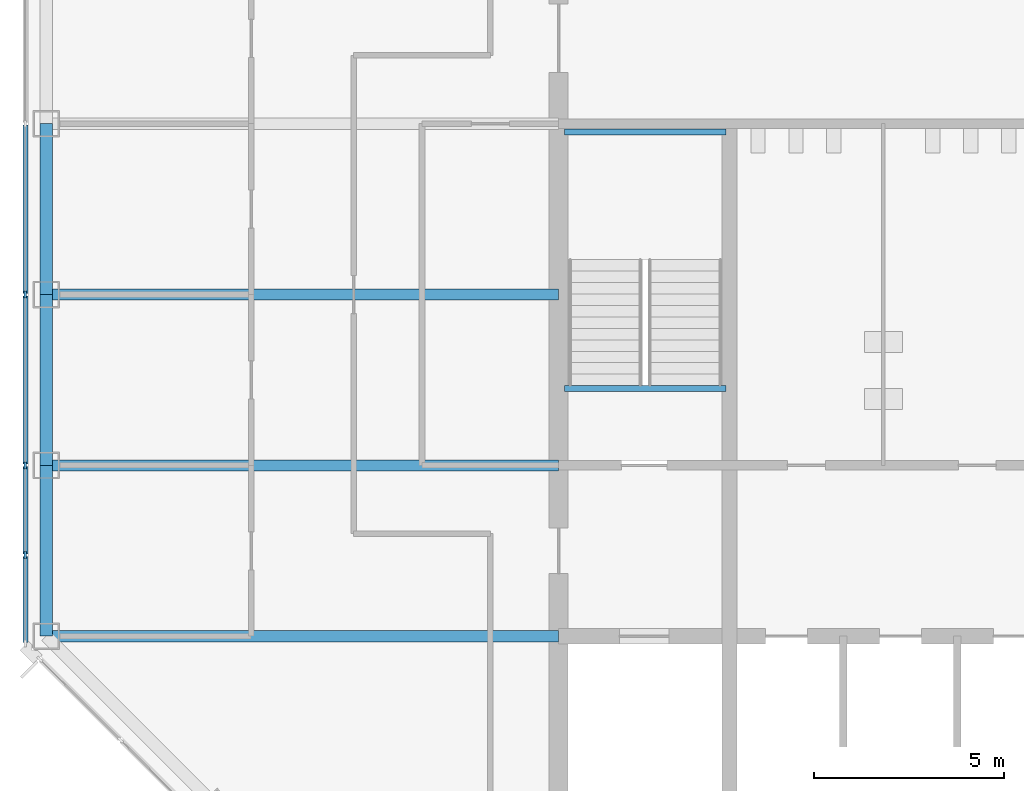
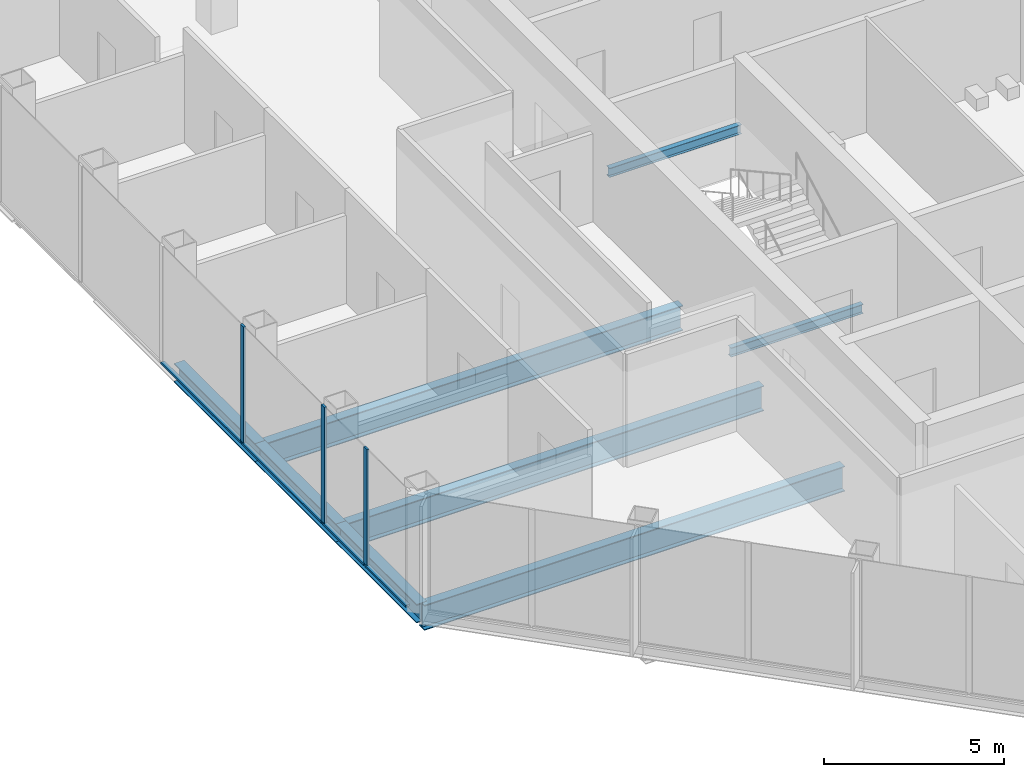
# One storey, part 3 of 13: 8 beams, 7 members, 1 element without a shape of its own.
"""IFC4 building model written with IfcOpenShell, lengths in metres."""

import ifcopenshell
import ifcopenshell.guid

model = None  # the IFC model being written
_history = None  # IfcOwnerHistory: only IFC2X3 demands one
_inside = {}  # id of a spatial element -> (the spatial element, [elements in it])
_under = {}  # id of a project, library or spatial element -> (it, [spatial elements below it])
_declared = {}  # id of a project -> (the project, [libraries it declares])
_typed = {}  # id of a type object -> (the type object, [elements of that type])
_made_of = {}  # id of a material, layer set ... -> (it, [elements and type objects made of it])


def new_model(schema):
    """Start an empty IFC model of exactly this schema.

    Asked for "IFC4X3", IfcOpenShell would pick the latest addendum, in which some entities
    have other attributes; the version numbers below select the first issue.
    IFC2X3 requires an IfcOwnerHistory on every rooted entity: one is made here for all.
    """
    global model, _history
    if schema == "IFC4X3":
        model = ifcopenshell.file(schema_version=(4, 3, 0, 0))
    else:
        model = ifcopenshell.file(schema=schema)
    _inside.clear()
    _under.clear()
    _declared.clear()
    _typed.clear()
    _made_of.clear()
    _history = None
    if model.schema == "IFC2X3":
        org = make("IfcOrganization", Name="unknown")
        user = make(
            "IfcPersonAndOrganization",
            ThePerson=make("IfcPerson", FamilyName="unknown"),
            TheOrganization=org,
        )
        app = make(
            "IfcApplication",
            ApplicationDeveloper=org,
            Version="unknown",
            ApplicationFullName="unknown",
            ApplicationIdentifier="unknown",
        )
        _history = make(
            "IfcOwnerHistory",
            OwningUser=user,
            OwningApplication=app,
            ChangeAction="ADDED",
            CreationDate=0,
        )
    return model


def make(cls, **values):
    """One entity of the class cls with the attributes given. An attribute that is None is left unset."""
    return model.create_entity(
        cls, **{name: value for name, value in values.items() if value is not None}
    )


def rooted(cls, **values):
    """An entity with a GlobalId (a new one), such as an element, a storey or a relation."""
    return make(cls, GlobalId=ifcopenshell.guid.new(), OwnerHistory=_history, **values)


def si_unit(unit_type, name, prefix=None):
    """IfcSIUnit, for example si_unit("LENGTHUNIT", "METRE", prefix="MILLI")."""
    return make("IfcSIUnit", UnitType=unit_type, Prefix=prefix, Name=name)


def assignment(units):
    """IfcUnitAssignment: the units of a project."""
    return None if units is None else make("IfcUnitAssignment", Units=units)


def point(xyz):
    """IfcCartesianPoint."""
    return None if xyz is None else make("IfcCartesianPoint", Coordinates=xyz)


def direction(xyz):
    """IfcDirection."""
    return None if xyz is None else make("IfcDirection", DirectionRatios=xyz)


def frame(location, z_axis=None, x_axis=None):
    """IfcAxis2Placement3D, a coordinate frame: its origin and axes. An axis left out is left unset."""
    return make(
        "IfcAxis2Placement3D",
        Location=point(location),
        Axis=direction(z_axis),
        RefDirection=direction(x_axis),
    )


def frame_2d(location, x_axis=None):
    """IfcAxis2Placement2D, a coordinate frame in the plane: its origin and x axis."""
    return make(
        "IfcAxis2Placement2D", Location=point(location), RefDirection=direction(x_axis)
    )


def origin():
    """The frame at (0, 0, 0) with its axes left unset."""
    return frame((0.0, 0.0, 0.0))


def origin_2d():
    """The frame at (0, 0) in the plane with its x axis left unset."""
    return frame_2d((0.0, 0.0))


def place(relative_to, where):
    """IfcLocalPlacement: puts the frame where relative to a parent placement (None: the world)."""
    return make(
        "IfcLocalPlacement", PlacementRelTo=relative_to, RelativePlacement=where
    )


def context(
    kind, dimensions, precision=None, world=None, true_north=None, identifier=None
):
    """IfcGeometricRepresentationContext, for example the 3D "Model" context."""
    return make(
        "IfcGeometricRepresentationContext",
        ContextIdentifier=identifier,
        ContextType=kind,
        CoordinateSpaceDimension=dimensions,
        Precision=precision,
        WorldCoordinateSystem=world,
        TrueNorth=true_north,
    )


def subcontext(parent, identifier, kind, view, scale=None):
    """IfcGeometricRepresentationSubContext, for example "Body" below "Model"."""
    return make(
        "IfcGeometricRepresentationSubContext",
        ContextIdentifier=identifier,
        ContextType=kind,
        ParentContext=parent,
        TargetScale=scale,
        TargetView=view,
    )


def project(units=None, contexts=None):
    """IfcProject with its units and contexts."""
    return rooted(
        "IfcProject",
        Name="project",
        RepresentationContexts=contexts,
        UnitsInContext=assignment(units),
    )


def spatial(cls, under=None, at=None, **own):
    """A site, building, storey or space (cls), placed at a placement, below another one or the project."""
    s = rooted(cls, ObjectPlacement=at, **own)
    if under is not None:
        _under.setdefault(under.id(), (under, []))[1].append(s)
    return s


def profile(cls, at=None, kind="AREA", **sizes):
    """A parametric profile (cls). Its sizes go by their IFC names, for example OverallWidth=200.0."""
    return make(cls, ProfileType=kind, Position=at, **sizes)


def rectangle(**sizes):
    """IfcRectangleProfileDef."""
    return profile("IfcRectangleProfileDef", **sizes)


def i_section(**sizes):
    """IfcIShapeProfileDef."""
    return profile("IfcIShapeProfileDef", **sizes)


def extrude(swept, where, along, depth):
    """IfcExtrudedAreaSolid: the profile swept, set in the frame where, extruded along a direction by depth."""
    return make(
        "IfcExtrudedAreaSolid",
        SweptArea=swept,
        Position=where,
        ExtrudedDirection=direction(along),
        Depth=depth,
    )


def shape(context_of_items, identifier, shape_type, items):
    """IfcShapeRepresentation: the items that make up one representation, for example the "Body"."""
    return make(
        "IfcShapeRepresentation",
        ContextOfItems=context_of_items,
        RepresentationIdentifier=identifier,
        RepresentationType=shape_type,
        Items=items,
    )


def material(Name=None, Category=None):
    """IfcMaterial."""
    return make("IfcMaterial", Name=Name, Category=Category)


def material_profile(
    of_material, cross_section, Name=None, Category=None, Priority=None
):
    """IfcMaterialProfile: a cross section and its material."""
    return make(
        "IfcMaterialProfile",
        Name=Name,
        Material=of_material,
        Profile=cross_section,
        Priority=Priority,
        Category=Category,
    )


def profile_set(profiles, Name=None, composite=None):
    """IfcMaterialProfileSet."""
    return make(
        "IfcMaterialProfileSet",
        Name=Name,
        MaterialProfiles=profiles,
        CompositeProfile=composite,
    )


def made_of(thing, what):
    """Note that an element or type object is made of a material, layer set ...; save() writes the relation."""
    if what is not None:
        _made_of.setdefault(what.id(), (what, []))[1].append(thing)
    return thing


def type_object(cls, material=None, **own):
    """A type object (cls), such as IfcWallType, which elements share."""
    return made_of(rooted(cls, **own), material)


def element(
    cls,
    number,
    at=None,
    inside=None,
    cuts=None,
    type_object=None,
    material=None,
    context=None,
    identifier="Body",
    shape_type=None,
    held_by="IfcProductDefinitionShape",
    body=None,
    shapes=None,
    **own,
):
    """One element of the class cls, such as IfcWall. Its Tag is "e" and its number.

    at: its placement. inside: the storey or other place that contains it. cuts: it is an
    opening in that element (IfcRelVoidsElement). A single representation is given by context,
    identifier, shape_type and body (its items); several are given by shapes. held_by: the class
    of the entity that holds the representations. save() writes the other relations.
    """
    e = rooted(cls, Tag="e%d" % number, ObjectPlacement=at, **own)
    if body is not None:
        shapes = [shape(context, identifier, shape_type, body)]
    if shapes is not None:
        e.Representation = make(held_by, Representations=shapes)
    if inside is not None:
        _inside.setdefault(inside.id(), (inside, []))[1].append(e)
    if cuts is not None:
        rooted(
            "IfcRelVoidsElement", RelatingBuildingElement=cuts, RelatedOpeningElement=e
        )
    if type_object is not None:
        _typed.setdefault(type_object.id(), (type_object, []))[1].append(e)
    return made_of(e, material)


def aggregate(whole, parts):
    """IfcRelAggregates: a whole, such as a stair, and the parts it consists of."""
    return rooted("IfcRelAggregates", RelatingObject=whole, RelatedObjects=parts)


def save(model, path):
    """Write the relations noted so far, then the file.

    IfcRelAggregates (storeys below a building ...), IfcRelContainedInSpatialStructure (elements
    in a storey), IfcRelDefinesByType, IfcRelAssociatesMaterial and IfcRelDeclares: one each for
    every whole, place, type object, material and project.
    """
    for whole, parts in _under.values():
        aggregate(whole, parts)
    for where, things in _inside.values():
        rooted(
            "IfcRelContainedInSpatialStructure",
            RelatedElements=things,
            RelatingStructure=where,
        )
    for kind, things in _typed.values():
        rooted("IfcRelDefinesByType", RelatedObjects=things, RelatingType=kind)
    for what, things in _made_of.values():
        rooted("IfcRelAssociatesMaterial", RelatedObjects=things, RelatingMaterial=what)
    for by, libraries in _declared.values():
        rooted("IfcRelDeclares", RelatingContext=by, RelatedDefinitions=libraries)
    model.write(path)


model = new_model("IFC4")

# Units and contexts
model_context = context("Model", 3, precision=1e-05, world=origin(), true_north=direction((0.0, 1.0)))
body_context = subcontext(model_context, "Body", "Model", "MODEL_VIEW")
ifc_project = project(units=[si_unit("LENGTHUNIT", "METRE"), si_unit("AREAUNIT", "SQUARE_METRE"), si_unit("VOLUMEUNIT", "CUBIC_METRE"), si_unit("PLANEANGLEUNIT", "RADIAN"), si_unit("MASSUNIT", "GRAM", prefix="KILO")], contexts=[model_context])

# Site, building, storey
site_placement = place(None, origin())
site = spatial("IfcSite", under=ifc_project, at=site_placement, CompositionType="ELEMENT")
building_placement = place(site_placement, origin())
building = spatial("IfcBuilding", under=site, at=building_placement, Name="Corais Broadcast Tower", CompositionType="ELEMENT")
storey_placement = place(building_placement, frame((0.0, 0.0, 155.60009765625)))
storey = spatial("IfcBuildingStorey", under=building, at=storey_placement, Name="L35", CompositionType="ELEMENT", Elevation=155.60009765625)

# Beams
ifc_material_1 = material(Name="Steel ASTM A572 Grade 50", Category="steel")
ifc_material_profile_1 = material_profile(ifc_material_1, i_section(OverallWidth=0.2939453125, OverallDepth=0.85107421875, WebThickness=0.01611328125, FlangeThickness=0.02685546875, at=origin_2d()), Name="W840x226")
ifc_profile_set_1 = profile_set([ifc_material_profile_1], Name="Steel ASTM A572 Grade 50")
beam_type_1 = type_object("IfcBeamType", Name="Floor beam W840x226", PredefinedType="BEAM", material=ifc_profile_set_1)
for number, where, z_axis, x_axis, name in (
    (1, (0.0, 18.0, -0.585693359375), (1.0, 0.0, 0.0), (0.0, 1.0, 0.0), "B1 E/3 to E/6"),
    (2, (0.0, 22.5, -0.585693359375), (1.0, 0.0, 0.0), (0.0, 1.0, 0.0), "B1 F/3 to F/6"),
    (3, (0.0, 27.0, -0.585693359375), (1.0, 0.0, 0.0), (0.0, 1.0, 0.0), "B1 G/3 to G/6"),
):
    element("IfcBeam", number, at=place(storey_placement, frame(where, z_axis=z_axis, x_axis=x_axis)), inside=storey, type_object=beam_type_1, Name=name, PredefinedType="BEAM", context=body_context, shape_type="SweptSolid", body=[
        extrude(i_section(OverallWidth=0.2939453125, OverallDepth=0.85107421875, WebThickness=0.01611328125, FlangeThickness=0.02685546875, at=origin_2d()), origin(), (0.0, 0.0, 1.0), 13.5),
    ])
ifc_material_2 = material(Name="Steel ASTM A572 Grade 50", Category="steel")
ifc_material_profile_2 = material_profile(ifc_material_2, i_section(OverallWidth=0.1650390625, OverallDepth=0.31005859375, WebThickness=0.005859375, FlangeThickness=0.009765625, at=origin_2d()), Name="W310x38.7")
ifc_profile_set_2 = profile_set([ifc_material_profile_2], Name="Steel ASTM A572 Grade 50")
beam_type_2 = type_object("IfcBeamType", Name="Landing trimmer W310x38.7", PredefinedType="BEAM", material=ifc_profile_set_2)
for number, where, z_axis, x_axis, name in (
    (4, (13.64990234375, 24.52490234375, -0.35498046875), (1.0, 0.0, 0.0), (0.0, 1.0, 0.0), "LT1 stair A landing trimmer L35"),
    (5, (13.64990234375, 31.284912109375, 1.64501953125), (1.0, 0.0, 0.0), (0.0, 1.0, 0.0), "LT1 stair A half landing trimmer L35"),
):
    element("IfcBeam", number, at=place(storey_placement, frame(where, z_axis=z_axis, x_axis=x_axis)), inside=storey, type_object=beam_type_2, Name=name, PredefinedType="BEAM", context=body_context, shape_type="SweptSolid", body=[
        extrude(i_section(OverallWidth=0.1650390625, OverallDepth=0.31005859375, WebThickness=0.005859375, FlangeThickness=0.009765625, at=origin_2d()), origin(), (0.0, 0.0, 1.0), 4.25),
    ])

# Curtain wall, members
ifc_material_3 = material(Name="Aluminium and glass", Category="aluminium")
curtain_wall_type = type_object("IfcCurtainWallType", Name="Unitised fritted curtain wall CW2", PredefinedType="NOTDEFINED", material=ifc_material_3)
curtain_wall_placement = place(storey_placement, origin())
curtain_wall = element("IfcCurtainWall", 6, at=curtain_wall_placement, inside=storey, type_object=curtain_wall_type, Name="CW2 curtain wall L35 2", PredefinedType="NOTDEFINED")
ifc_material_4 = material(Name="Aluminium 6063-T6", Category="aluminium")
ifc_material_profile_3 = material_profile(ifc_material_4, rectangle(XDim=0.06494140625, YDim=0.179931640625, at=origin_2d()), Name="Mullion CW2 65x180")
ifc_profile_set_3 = profile_set([ifc_material_profile_3], Name="Aluminium 6063-T6")
member_type_1 = type_object("IfcMemberType", Name="Mullion CW2 65x180", PredefinedType="MULLION", material=ifc_profile_set_3)
member_1_placement = place(storey_placement, frame((-0.550048828125, 20.135986328125, 0.0), z_axis=(0.0, 0.0, 1.0), x_axis=(-1.0, 0.0, 0.0)))
member_1 = element("IfcMember", 7, at=member_1_placement, type_object=member_type_1, Name="CW2 mullion 2", PredefinedType="MULLION", context=body_context, shape_type="SweptSolid", body=[
    extrude(rectangle(XDim=0.06494140625, YDim=0.179931640625, at=origin_2d()), origin(), (0.0, 0.0, 1.0), 4.0),
])
member_2_placement = place(storey_placement, frame((-0.550048828125, 22.5, 0.0), z_axis=(0.0, 0.0, 1.0), x_axis=(-1.0, 0.0, 0.0)))
member_2 = element("IfcMember", 8, at=member_2_placement, type_object=member_type_1, Name="CW2 mullion 3", PredefinedType="MULLION", context=body_context, shape_type="SweptSolid", body=[
    extrude(rectangle(XDim=0.06494140625, YDim=0.179931640625, at=origin_2d()), origin(), (0.0, 0.0, 1.0), 4.0),
])
member_3_placement = place(storey_placement, frame((-0.550048828125, 27.0, 0.0), z_axis=(0.0, 0.0, 1.0), x_axis=(-1.0, 0.0, 0.0)))
member_3 = element("IfcMember", 9, at=member_3_placement, type_object=member_type_1, Name="CW2 mullion 4", PredefinedType="MULLION", context=body_context, shape_type="SweptSolid", body=[
    extrude(rectangle(XDim=0.06494140625, YDim=0.179931640625, at=origin_2d()), origin(), (0.0, 0.0, 1.0), 4.0),
])

# Beams
ifc_material_5 = material(Name="Steel ASTM A572 Grade 50", Category="steel")
ifc_material_profile_4 = material_profile(ifc_material_5, i_section(OverallWidth=0.3291015625, OverallDepth=0.635009765625, WebThickness=0.017822265625, FlangeThickness=0.031005859375, at=origin_2d()), Name="W610x241")
ifc_profile_set_4 = profile_set([ifc_material_profile_4], Name="Steel ASTM A572 Grade 50")
beam_type_3 = type_object("IfcBeamType", Name="Spandrel W610x241", PredefinedType="BEAM", material=ifc_profile_set_4)
for number, where, z_axis, x_axis, name in (
    (10, (0.0, 22.5, -0.4775390625), (0.0, -1.0, 0.0), (1.0, 0.0, 0.0), "SB1 F/3 to E/3"),
    (11, (0.0, 27.0, -0.4775390625), (0.0, -1.0, 0.0), (1.0, 0.0, 0.0), "SB1 G/3 to F/3"),
    (12, (0.0, 31.5, -0.4775390625), (0.0, -1.0, 0.0), (1.0, 0.0, 0.0), "SB1 H/3 to G/3"),
):
    element("IfcBeam", number, at=place(storey_placement, frame(where, z_axis=z_axis, x_axis=x_axis)), inside=storey, type_object=beam_type_3, Name=name, PredefinedType="BEAM", context=body_context, shape_type="SweptSolid", body=[
        extrude(i_section(OverallWidth=0.3291015625, OverallDepth=0.635009765625, WebThickness=0.017822265625, FlangeThickness=0.031005859375, at=origin_2d()), origin(), (0.0, 0.0, 1.0), 4.5),
    ])

# Member
ifc_material_6 = material(Name="Aluminium 6063-T6", Category="aluminium")
ifc_material_profile_5 = material_profile(ifc_material_6, rectangle(XDim=0.1298828125, YDim=0.06494140625, at=origin_2d()), Name="Transom CW2 65x130")
ifc_profile_set_5 = profile_set([ifc_material_profile_5], Name="Aluminium 6063-T6")
member_type_2 = type_object("IfcMemberType", Name="Transom CW2 65x130", PredefinedType="USERDEFINED", material=ifc_profile_set_5)
member_4_placement = place(storey_placement, frame((-0.550048828125, 17.837158203125, 0.032470703125), z_axis=(0.0, 1.0, 0.0), x_axis=(-1.0, 0.0, 0.0)))
member_4 = element("IfcMember", 13, at=member_4_placement, type_object=member_type_2, Name="CW2 transom 1.1", ObjectType="TRANSOM", PredefinedType="USERDEFINED", context=body_context, shape_type="SweptSolid", body=[
    extrude(rectangle(XDim=0.1298828125, YDim=0.06494140625, at=origin_2d()), origin(), (0.0, 0.0, 1.0), 2.266357421875),
])

member_5_placement = place(storey_placement, frame((-0.550048828125, 20.168701171875, 0.032470703125), z_axis=(0.0, 1.0, 0.0), x_axis=(-1.0, 0.0, 0.0)))
member_5 = element("IfcMember", 14, at=member_5_placement, type_object=member_type_2, Name="CW2 transom 2.1", ObjectType="TRANSOM", PredefinedType="USERDEFINED", context=body_context, shape_type="SweptSolid", body=[
    extrude(rectangle(XDim=0.1298828125, YDim=0.06494140625, at=origin_2d()), origin(), (0.0, 0.0, 1.0), 2.298828125),
])

member_6_placement = place(storey_placement, frame((-0.550048828125, 22.532470703125, 0.032470703125), z_axis=(0.0, 1.0, 0.0), x_axis=(-1.0, 0.0, 0.0)))
member_6 = element("IfcMember", 15, at=member_6_placement, type_object=member_type_2, Name="CW2 transom 3.1", ObjectType="TRANSOM", PredefinedType="USERDEFINED", context=body_context, shape_type="SweptSolid", body=[
    extrude(rectangle(XDim=0.1298828125, YDim=0.06494140625, at=origin_2d()), origin(), (0.0, 0.0, 1.0), 4.43505859375),
])

member_7_placement = place(storey_placement, frame((-0.550048828125, 27.032470703125, 0.032470703125), z_axis=(0.0, 1.0, 0.0), x_axis=(-1.0, 0.0, 0.0)))
member_7 = element("IfcMember", 16, at=member_7_placement, type_object=member_type_2, Name="CW2 transom 4.1", ObjectType="TRANSOM", PredefinedType="USERDEFINED", context=body_context, shape_type="SweptSolid", body=[
    extrude(rectangle(XDim=0.1298828125, YDim=0.06494140625, at=origin_2d()), origin(), (0.0, 0.0, 1.0), 4.43505859375),
])

aggregate(curtain_wall, [member_1, member_2, member_3, member_4, member_5, member_6, member_7])

save(model, "model.ifc")
